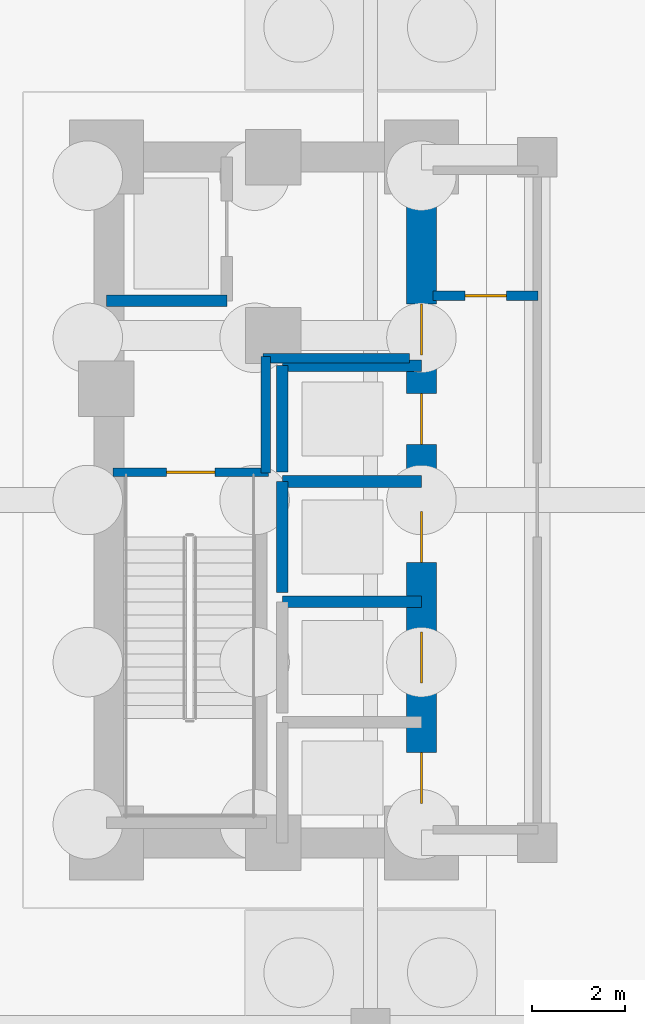
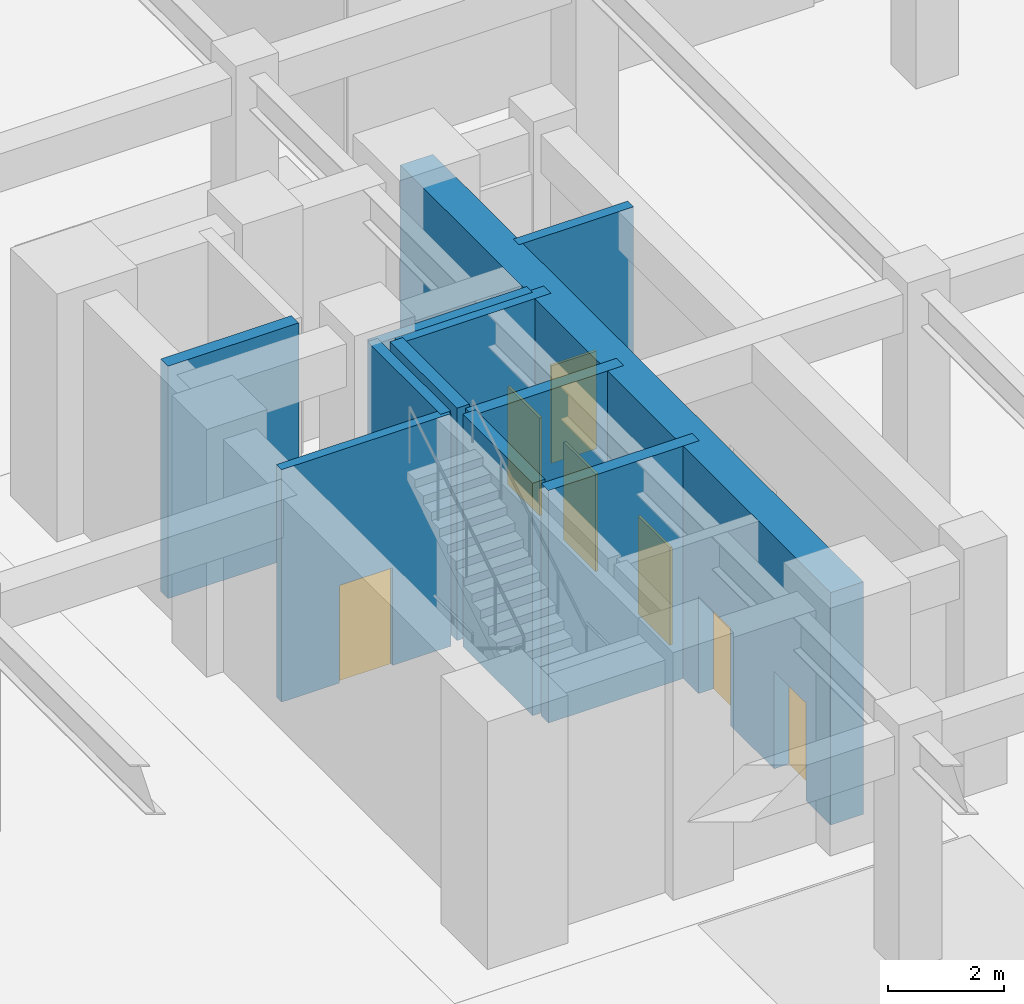
# One storey, part 5 of 11: 11 walls, 7 doors, 7 openings.
"""IFC4 building model written with IfcOpenShell, lengths in metres."""

from ifc_helpers import new_model, si_unit, direction, frame, frame_2d, origin, place, context, subcontext, project, spatial, rectangle, extrude, material, layer, layer_set, type_object, element, fill, save


model = new_model("IFC4")

# Units and contexts
model_context = context("Model", 3, precision=1e-05, world=origin(), true_north=direction((0.0, 1.0)))
body_context = subcontext(model_context, "Body", "Model", "MODEL_VIEW")
ifc_project = project(units=[si_unit("LENGTHUNIT", "METRE"), si_unit("AREAUNIT", "SQUARE_METRE"), si_unit("VOLUMEUNIT", "CUBIC_METRE"), si_unit("PLANEANGLEUNIT", "RADIAN"), si_unit("MASSUNIT", "GRAM", prefix="KILO")], contexts=[model_context])

# Site, building, storey
site_placement = place(None, origin())
site = spatial("IfcSite", under=ifc_project, at=site_placement, CompositionType="ELEMENT")
building_placement = place(site_placement, origin())
building = spatial("IfcBuilding", under=site, at=building_placement, Name="Voryun Gate Residences", CompositionType="ELEMENT")
storey_placement = place(building_placement, frame((0.0, 0.0, -10.39990234375)))
storey = spatial("IfcBuildingStorey", under=building, at=storey_placement, Name="B02", CompositionType="ELEMENT", Elevation=-10.39990234375)

# Wall, openings, doors
ifc_material_1 = material(Name="Concrete C60/75", Category="concrete")
ifc_layer_1 = layer(ifc_material_1, 0.64990234375, Name="CW_CORE_650")
ifc_layer_set_1 = layer_set([ifc_layer_1], Name="Concrete C60/75")
wall_type_1 = type_object("IfcWallType", Name="CW_CORE_650", PredefinedType="SHEAR", material=ifc_layer_set_1)
wall_1_placement = place(storey_placement, frame((-12.39990234375, -7.39990234375, 0.0), z_axis=(0.0, 0.0, 1.0), x_axis=(0.0, 1.0, 0.0)))
wall_1 = element("IfcWall", 1, at=wall_1_placement, inside=storey, type_object=wall_type_1, Name="B02 Core shear wall CW-B02-WE", PredefinedType="SHEAR", context=body_context, shape_type="SweptSolid", body=[
    extrude(rectangle(XDim=14.7998046875, YDim=0.64990234375, at=frame_2d((7.39990234375, 0.0))), origin(), (0.0, 0.0, 1.0), 4.8798828125),
])
opening_1_placement = place(wall_1_placement, frame((0.85009765625, 0.0, 0.0)))
opening_1 = element("IfcOpeningElement", 2, at=opening_1_placement, cuts=wall_1, Name="Opening LD2", PredefinedType="OPENING", context=body_context, shape_type="SweptSolid", body=[
    extrude(rectangle(XDim=1.10009765625, YDim=2.050048828125, at=frame_2d((0.550048828125, 1.02490234375))), frame((0.0, 0.3349609375, 0.0), z_axis=(0.0, -1.0, 0.0), x_axis=(1.0, 0.0, 0.0)), (0.0, 0.0, 1.0), 0.669921875),
])
opening_2_placement = place(wall_1_placement, frame((3.449951171875, 0.0, 0.0)))
opening_2 = element("IfcOpeningElement", 3, at=opening_2_placement, cuts=wall_1, Name="Opening LD2", PredefinedType="OPENING", context=body_context, shape_type="SweptSolid", body=[
    extrude(rectangle(XDim=1.10009765625, YDim=2.050048828125, at=frame_2d((0.550048828125, 1.02490234375))), frame((0.0, 0.3349609375, 0.0), z_axis=(0.0, -1.0, 0.0), x_axis=(1.0, 0.0, 0.0)), (0.0, 0.0, 1.0), 0.669921875),
])
opening_3_placement = place(wall_1_placement, frame((6.050048828125, 0.0, 0.0)))
opening_3 = element("IfcOpeningElement", 4, at=opening_3_placement, cuts=wall_1, Name="Opening LD2", PredefinedType="OPENING", context=body_context, shape_type="SweptSolid", body=[
    extrude(rectangle(XDim=1.10009765625, YDim=2.050048828125, at=frame_2d((0.550048828125, 1.02490234375))), frame((0.0, 0.3349609375, 0.0), z_axis=(0.0, -1.0, 0.0), x_axis=(1.0, 0.0, 0.0)), (0.0, 0.0, 1.0), 0.669921875),
])
opening_4_placement = place(wall_1_placement, frame((8.60009765625, 0.0, 0.0)))
opening_4 = element("IfcOpeningElement", 5, at=opening_4_placement, cuts=wall_1, Name="Opening LD2", PredefinedType="OPENING", context=body_context, shape_type="SweptSolid", body=[
    extrude(rectangle(XDim=1.10009765625, YDim=2.050048828125, at=frame_2d((0.550048828125, 1.02490234375))), frame((0.0, 0.3349609375, 0.0), z_axis=(0.0, -1.0, 0.0), x_axis=(1.0, 0.0, 0.0)), (0.0, 0.0, 1.0), 0.669921875),
])
opening_5_placement = place(wall_1_placement, frame((10.530029296875, 0.0, 0.0)))
opening_5 = element("IfcOpeningElement", 6, at=opening_5_placement, cuts=wall_1, Name="Opening D-FD60-2", PredefinedType="OPENING", context=body_context, shape_type="SweptSolid", body=[
    extrude(rectangle(XDim=1.10009765625, YDim=2.050048828125, at=frame_2d((0.550048828125, 1.02490234375))), frame((0.0, 0.3349609375, 0.0), z_axis=(0.0, -1.0, 0.0), x_axis=(1.0, 0.0, 0.0)), (0.0, 0.0, 1.0), 0.669921875),
])
ifc_material_2 = material(Name="Painted steel fire door", Category="steel")
door_type_1 = type_object("IfcDoorType", Name="DR_FD60_FFLOB_1100", OperationType="NOTDEFINED", PredefinedType="DOOR", material=ifc_material_2)
door_1_placement = place(opening_5_placement, origin())
door_1 = element("IfcDoor", 7, at=door_1_placement, inside=storey, type_object=door_type_1, Name="Door DR-B02-CLOB-W", OperationType="SINGLE_SWING_LEFT", OverallHeight=2.050048828125, OverallWidth=1.10009765625, PredefinedType="DOOR", context=body_context, shape_type="SweptSolid", body=[
    extrude(rectangle(XDim=1.10009765625, YDim=2.050048828125, at=frame_2d((0.550048828125, 1.02490234375))), frame((0.0, 0.02490234375, 0.0), z_axis=(0.0, -1.0, 0.0), x_axis=(1.0, 0.0, 0.0)), (0.0, 0.0, 1.0), 0.050048828125),
])
fill(opening_5, door_1)
ifc_material_3 = material(Name="Anodised aluminium", Category="aluminium")
door_type_2 = type_object("IfcDoorType", Name="DR_LD_PASS_1100", OperationType="NOTDEFINED", PredefinedType="DOOR", material=ifc_material_3)
door_2_placement = place(opening_1_placement, origin())
door_2 = element("IfcDoor", 8, at=door_2_placement, inside=storey, type_object=door_type_2, Name="Lift EL-P1 sliding landing door B02", OperationType="SLIDING_TO_LEFT", OverallHeight=2.050048828125, OverallWidth=1.10009765625, PredefinedType="DOOR", context=body_context, shape_type="SweptSolid", body=[
    extrude(rectangle(XDim=1.10009765625, YDim=2.050048828125, at=frame_2d((0.550048828125, 1.02490234375))), frame((0.0, 0.02490234375, 0.0), z_axis=(0.0, -1.0, 0.0), x_axis=(1.0, 0.0, 0.0)), (0.0, 0.0, 1.0), 0.050048828125),
])
fill(opening_1, door_2)
door_3_placement = place(opening_2_placement, origin())
door_3 = element("IfcDoor", 9, at=door_3_placement, inside=storey, type_object=door_type_2, Name="Lift EL-P2 sliding landing door B02", OperationType="SLIDING_TO_LEFT", OverallHeight=2.050048828125, OverallWidth=1.10009765625, PredefinedType="DOOR", context=body_context, shape_type="SweptSolid", body=[
    extrude(rectangle(XDim=1.10009765625, YDim=2.050048828125, at=frame_2d((0.550048828125, 1.02490234375))), frame((0.0, 0.02490234375, 0.0), z_axis=(0.0, -1.0, 0.0), x_axis=(1.0, 0.0, 0.0)), (0.0, 0.0, 1.0), 0.050048828125),
])
fill(opening_2, door_3)
door_4_placement = place(opening_3_placement, origin())
door_4 = element("IfcDoor", 10, at=door_4_placement, inside=storey, type_object=door_type_2, Name="Lift EL-P4 sliding landing door B02", OperationType="SLIDING_TO_LEFT", OverallHeight=2.050048828125, OverallWidth=1.10009765625, PredefinedType="DOOR", context=body_context, shape_type="SweptSolid", body=[
    extrude(rectangle(XDim=1.10009765625, YDim=2.050048828125, at=frame_2d((0.550048828125, 1.02490234375))), frame((0.0, 0.02490234375, 0.0), z_axis=(0.0, -1.0, 0.0), x_axis=(1.0, 0.0, 0.0)), (0.0, 0.0, 1.0), 0.050048828125),
])
fill(opening_3, door_4)
door_5_placement = place(opening_4_placement, origin())
door_5 = element("IfcDoor", 11, at=door_5_placement, inside=storey, type_object=door_type_2, Name="Lift EL-P7 sliding landing door B02", OperationType="SLIDING_TO_LEFT", OverallHeight=2.050048828125, OverallWidth=1.10009765625, PredefinedType="DOOR", context=body_context, shape_type="SweptSolid", body=[
    extrude(rectangle(XDim=1.10009765625, YDim=2.050048828125, at=frame_2d((0.550048828125, 1.02490234375))), frame((0.0, 0.02490234375, 0.0), z_axis=(0.0, -1.0, 0.0), x_axis=(1.0, 0.0, 0.0)), (0.0, 0.0, 1.0), 0.050048828125),
])
fill(opening_4, door_5)

# Wall, opening, door
ifc_material_4 = material(Name="Gypsum acoustic fireboard")
ifc_layer_2 = layer(ifc_material_4, 0.179931640625, Name="W_CORR_RATED_180")
ifc_layer_set_2 = layer_set([ifc_layer_2], Name="Gypsum acoustic fireboard")
wall_type_2 = type_object("IfcWallType", Name="W_CORR_RATED_180", PredefinedType="PARTITIONING", material=ifc_layer_set_2)
wall_2_placement = place(storey_placement, frame((-19.06005859375, 0.60009765625, 0.0), z_axis=(0.0, 0.0, 1.0), x_axis=(1.0, 0.0, 0.0)))
wall_2 = element("IfcWall", 12, at=wall_2_placement, inside=storey, type_object=wall_type_2, Name="Partition wall WP-B02-STV-W", PredefinedType="PARTITIONING", context=body_context, shape_type="SweptSolid", body=[
    extrude(rectangle(XDim=3.360107421875, YDim=0.179931640625, at=frame_2d((1.68017578125, 0.0))), origin(), (0.0, 0.0, 1.0), 4.8798828125),
])
opening_6_placement = place(wall_2_placement, frame((1.155029296875, 0.0, 0.0)))
opening_6 = element("IfcOpeningElement", 13, at=opening_6_placement, cuts=wall_2, Name="Opening D-FD60-1", PredefinedType="OPENING", context=body_context, shape_type="SweptSolid", body=[
    extrude(rectangle(XDim=1.050048828125, YDim=2.050048828125, at=frame_2d((0.52490234375, 1.02490234375))), frame((0.0, 0.099853515625, 0.0), z_axis=(0.0, -1.0, 0.0), x_axis=(1.0, 0.0, 0.0)), (0.0, 0.0, 1.0), 0.199951171875),
])
ifc_material_5 = material(Name="Painted steel fire door", Category="steel")
door_type_3 = type_object("IfcDoorType", Name="DR_FD60_STAIR_1050", OperationType="NOTDEFINED", PredefinedType="DOOR", material=ifc_material_5)
door_6_placement = place(opening_6_placement, origin())
door_6 = element("IfcDoor", 14, at=door_6_placement, inside=storey, type_object=door_type_3, Name="Door DR-B02-ST-W", OperationType="SINGLE_SWING_LEFT", OverallHeight=2.050048828125, OverallWidth=1.050048828125, PredefinedType="DOOR", context=body_context, shape_type="SweptSolid", body=[
    extrude(rectangle(XDim=1.050048828125, YDim=2.050048828125, at=frame_2d((0.52490234375, 1.02490234375))), frame((0.0, 0.02490234375, 0.0), z_axis=(0.0, -1.0, 0.0), x_axis=(1.0, 0.0, 0.0)), (0.0, 0.0, 1.0), 0.050048828125),
])
fill(opening_6, door_6)

# Walls
ifc_material_6 = material(Name="Concrete C40/50", Category="concrete")
ifc_layer_3 = layer(ifc_material_6, 0.199951171875, Name="W_FF_LOBBY_200")
ifc_layer_set_3 = layer_set([ifc_layer_3], Name="Concrete C40/50")
wall_type_3 = type_object("IfcWallType", Name="W_FF_LOBBY_200", PredefinedType="PARTITIONING", material=ifc_layer_set_3)
wall_3_placement = place(storey_placement, frame((-15.760009765625, 0.580078125, 0.0), z_axis=(0.0, 0.0, 1.0), x_axis=(0.0, 1.0, 0.0)))
element("IfcWall", 15, at=wall_3_placement, inside=storey, type_object=wall_type_3, Name="Partition wall WP-B02-FFP0-W", PredefinedType="PARTITIONING", context=body_context, shape_type="SweptSolid", body=[
    extrude(rectangle(XDim=2.52001953125, YDim=0.199951171875, at=frame_2d((1.260009765625, 0.0))), origin(), (0.0, 0.0, 1.0), 4.8798828125),
])
wall_4_placement = place(storey_placement, frame((-15.820068359375, 3.06005859375, 0.0), z_axis=(0.0, 0.0, 1.0), x_axis=(1.0, 0.0, 0.0)))
element("IfcWall", 16, at=wall_4_placement, inside=storey, type_object=wall_type_3, Name="Partition wall WP-B02-FFPS-W", PredefinedType="PARTITIONING", context=body_context, shape_type="SweptSolid", body=[
    extrude(rectangle(XDim=3.16015625, YDim=0.199951171875, at=frame_2d((1.580078125, 0.0))), origin(), (0.0, 0.0, 1.0), 4.8798828125),
])

# Wall, opening, door
wall_5_placement = place(storey_placement, frame((-12.14990234375, 4.409912109375, 0.0), z_axis=(0.0, 0.0, 1.0), x_axis=(1.0, 0.0, 0.0)))
wall_5 = element("IfcWall", 17, at=wall_5_placement, inside=storey, type_object=wall_type_3, Name="Partition wall WP-B02-CSFLKS-W", PredefinedType="PARTITIONING", context=body_context, shape_type="SweptSolid", body=[
    extrude(rectangle(XDim=2.27001953125, YDim=0.199951171875, at=frame_2d((1.135009765625, 0.0))), origin(), (0.0, 0.0, 1.0), 4.8798828125),
])
opening_7_placement = place(wall_5_placement, frame((0.68505859375, 0.0, 0.0)))
opening_7 = element("IfcOpeningElement", 18, at=opening_7_placement, cuts=wall_5, Name="Opening D-FD60-4", PredefinedType="OPENING", context=body_context, shape_type="SweptSolid", body=[
    extrude(rectangle(XDim=0.89990234375, YDim=2.050048828125, at=frame_2d((0.449951171875, 1.02490234375))), frame((0.0, 0.110107421875, 0.0), z_axis=(0.0, -1.0, 0.0), x_axis=(1.0, 0.0, 0.0)), (0.0, 0.0, 1.0), 0.219970703125),
])
ifc_material_7 = material(Name="Painted steel fire door", Category="steel")
door_type_4 = type_object("IfcDoorType", Name="DR_FD60_RISER_900", OperationType="NOTDEFINED", PredefinedType="DOOR", material=ifc_material_7)
door_7_placement = place(opening_7_placement, origin())
door_7 = element("IfcDoor", 19, at=door_7_placement, inside=storey, type_object=door_type_4, Name="Door DR-B02-CSFLK-W", OperationType="SINGLE_SWING_LEFT", OverallHeight=2.050048828125, OverallWidth=0.89990234375, PredefinedType="DOOR", context=body_context, shape_type="SweptSolid", body=[
    extrude(rectangle(XDim=0.89990234375, YDim=2.050048828125, at=frame_2d((0.449951171875, 1.02490234375))), frame((0.0, 0.02490234375, 0.0), z_axis=(0.0, -1.0, 0.0), x_axis=(1.0, 0.0, 0.0)), (0.0, 0.0, 1.0), 0.050048828125),
])
fill(opening_7, door_7)

# Walls
ifc_material_8 = material(Name="Concrete C50/60", Category="concrete")
ifc_layer_4 = layer(ifc_material_8, 0.25, Name="W_SHAFT_RC250")
ifc_layer_set_4 = layer_set([ifc_layer_4], Name="Concrete C50/60")
wall_type_4 = type_object("IfcWallType", Name="W_SHAFT_RC250", PredefinedType="SOLIDWALL", material=ifc_layer_set_4)
wall_6_placement = place(storey_placement, frame((-19.199951171875, 4.300048828125, 0.0), z_axis=(0.0, 0.0, 1.0), x_axis=(1.0, 0.0, 0.0)))
element("IfcWall", 20, at=wall_6_placement, inside=storey, type_object=wall_type_4, Name="Lift shaft wall WSH-B02-EL-FF-W1-S", PredefinedType="SOLIDWALL", context=body_context, shape_type="SweptSolid", body=[
    extrude(rectangle(XDim=2.599853515625, YDim=0.25, at=frame_2d((1.2998046875, 0.0))), origin(), (0.0, 0.0, 1.0), 4.8798828125),
])
for number, where, z_axis, x_axis, name in (
    (21, (-12.39990234375, -2.199951171875, 0.0), (0.0, 0.0, 1.0), (-1.0, 0.0, 0.0), "Lift shaft wall WSH-B02-EL-P2-N"),
    (22, (-12.39990234375, 0.39990234375, 0.0), (0.0, 0.0, 1.0), (-1.0, 0.0, 0.0), "Lift shaft wall WSH-B02-EL-P4-N"),
):
    element("IfcWall", number, at=place(storey_placement, frame(where, z_axis=z_axis, x_axis=x_axis)), inside=storey, type_object=wall_type_4, Name=name, PredefinedType="SOLIDWALL", context=body_context, shape_type="SweptSolid", body=[
        extrude(rectangle(XDim=3.0, YDim=0.25, at=frame_2d((1.5, 0.0))), origin(), (0.0, 0.0, 1.0), 4.8798828125),
    ])
wall_7_placement = place(storey_placement, frame((-15.39990234375, 0.39990234375, 0.0), z_axis=(0.0, 0.0, 1.0), x_axis=(0.0, -1.0, 0.0)))
element("IfcWall", 23, at=wall_7_placement, inside=storey, type_object=wall_type_4, Name="Lift shaft wall WSH-B02-EL-P4-W", PredefinedType="SOLIDWALL", context=body_context, shape_type="SweptSolid", body=[
    extrude(rectangle(XDim=2.39990234375, YDim=0.25, at=frame_2d((1.199951171875, 0.0))), origin(), (0.0, 0.0, 1.0), 4.8798828125),
])
wall_8_placement = place(storey_placement, frame((-12.39990234375, 2.89990234375, 0.0), z_axis=(0.0, 0.0, 1.0), x_axis=(-1.0, 0.0, 0.0)))
element("IfcWall", 24, at=wall_8_placement, inside=storey, type_object=wall_type_4, Name="Lift shaft wall WSH-B02-EL-P7-N", PredefinedType="SOLIDWALL", context=body_context, shape_type="SweptSolid", body=[
    extrude(rectangle(XDim=3.0, YDim=0.25, at=frame_2d((1.5, 0.0))), origin(), (0.0, 0.0, 1.0), 4.8798828125),
])
wall_9_placement = place(storey_placement, frame((-15.39990234375, 2.89990234375, 0.0), z_axis=(0.0, 0.0, 1.0), x_axis=(0.0, -1.0, 0.0)))
element("IfcWall", 25, at=wall_9_placement, inside=storey, type_object=wall_type_4, Name="Lift shaft wall WSH-B02-EL-P7-W", PredefinedType="SOLIDWALL", context=body_context, shape_type="SweptSolid", body=[
    extrude(rectangle(XDim=2.2998046875, YDim=0.25, at=frame_2d((1.14990234375, 0.0))), origin(), (0.0, 0.0, 1.0), 4.8798828125),
])

save(model, "model.ifc")
